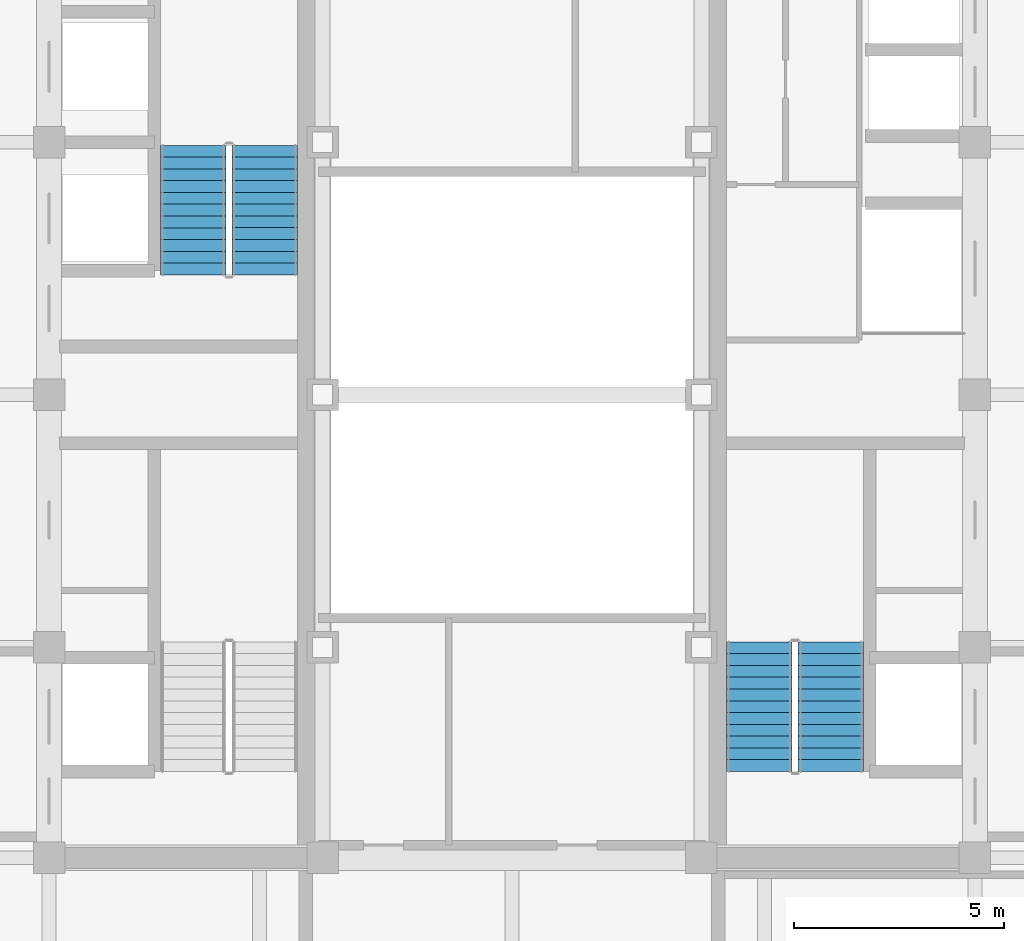
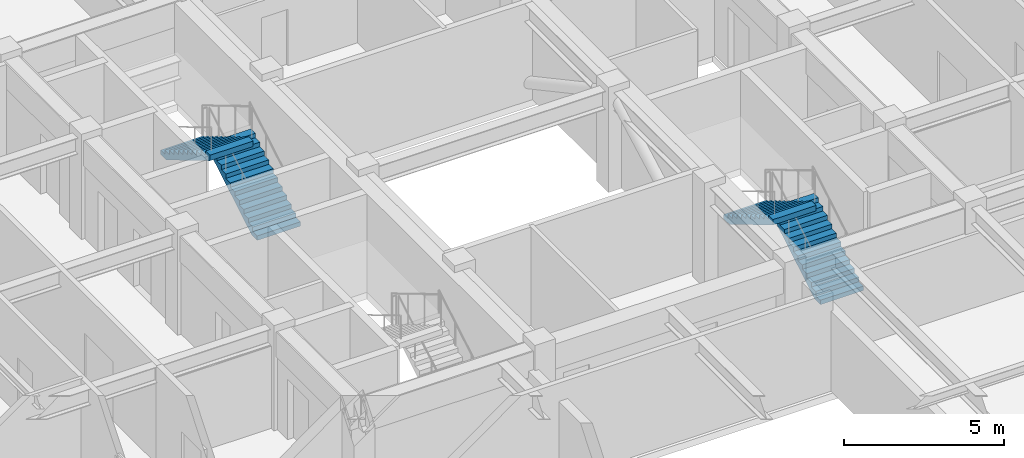
# One storey, part 28 of 29: 4 stair flights, 2 elements without a shape of their own.
"""IFC4 building model written with IfcOpenShell, lengths in metres."""

from ifc_helpers import new_model, si_unit, direction, frame, origin, place, context, subcontext, project, spatial, polyline, outline, extrude, source, transform, mapped, material, type_object, element, aggregate, save


model = new_model("IFC4")

# Units and contexts
model_context = context("Model", 3, precision=1e-05, world=origin(), true_north=direction((0.0, 1.0)))
body_context = subcontext(model_context, "Body", "Model", "MODEL_VIEW")
ifc_project = project(units=[si_unit("LENGTHUNIT", "METRE"), si_unit("AREAUNIT", "SQUARE_METRE"), si_unit("VOLUMEUNIT", "CUBIC_METRE"), si_unit("PLANEANGLEUNIT", "RADIAN"), si_unit("MASSUNIT", "GRAM", prefix="KILO")], contexts=[model_context])

# Site, building, storey
site_placement = place(None, origin())
site = spatial("IfcSite", under=ifc_project, at=site_placement, CompositionType="ELEMENT")
building_placement = place(site_placement, origin())
building = spatial("IfcBuilding", under=site, at=building_placement, Name="Khorayat Bourse Tower", CompositionType="ELEMENT")
storey_placement = place(building_placement, frame((0.0, 0.0, 354.300048828125)))
storey = spatial("IfcBuildingStorey", under=building, at=storey_placement, Name="L84", CompositionType="ELEMENT", Elevation=354.300048828125)

# Stair, stair flights
ifc_material = material(Name="Concrete C40/50", Category="concrete")
stair_type = type_object("IfcStairType", Name="STR-CORE-1550", PredefinedType="HALF_TURN_STAIR", material=ifc_material)
stair_1_placement = place(storey_placement, origin())
stair_1 = element("IfcStair", 1, at=stair_1_placement, inside=storey, type_object=stair_type, Name="L84 Exit Stair ST-2", PredefinedType="HALF_TURN_STAIR")
stair_flight_type = type_object("IfcStairFlightType", Name="FLT-CORE-1550", PredefinedType="STRAIGHT", material=ifc_material)
shared_shape = source(origin(), body_context, "Body", "SweptSolid", [
    extrude(outline(polyline([(0.0, 0.0), (0.0, 0.166748046875), (0.280029296875, 0.166748046875), (0.280029296875, 0.333251953125), (0.56005859375, 0.333251953125), (0.56005859375, 0.5), (0.840087890625, 0.5), (0.840087890625, 0.666748046875), (1.1201171875, 0.666748046875), (1.1201171875, 0.833251953125), (1.39990234375, 0.833251953125), (1.39990234375, 1.0), (1.679931640625, 1.0), (1.679931640625, 1.166748046875), (1.9599609375, 1.166748046875), (1.9599609375, 1.333251953125), (2.239990234375, 1.333251953125), (2.239990234375, 1.5), (2.52001953125, 1.5), (2.52001953125, 1.666748046875), (2.800048828125, 1.666748046875), (2.800048828125, 1.833251953125), (3.080078125, 1.833251953125), (3.080078125, 2.0), (3.080078125, 1.6240234375), (0.351806640625, 0.0), (0.0, 0.0)])), frame((0.0, 0.77490234375, 0.0), z_axis=(0.0, -1.0, 0.0), x_axis=(1.0, 0.0, 0.0)), (0.0, 0.0, 1.0), 1.550048828125),
])
stair_flight_1_placement = place(storey_placement, frame((-5.875, 2.85009765625, 0.0), z_axis=(0.0, 0.0, 1.0), x_axis=(0.0, 1.0, 0.0)))
stair_flight_1 = element("IfcStairFlight", 2, at=stair_flight_1_placement, type_object=stair_flight_type, Name="ST-2 flight 1", NumberOfRisers=12, NumberOfTreads=11, PredefinedType="STRAIGHT", RiserHeight=0.166666667, TreadLength=0.28, context=body_context, shape_type="MappedRepresentation", body=[
    mapped(shared_shape, transform((0.0, 0.0, 0.0), scale=1.0)),
])
stair_flight_2_placement = place(storey_placement, frame((-7.574951171875, 5.929931640625, 2.0), z_axis=(0.0, 0.0, 1.0), x_axis=(0.0, -1.0, 0.0)))
stair_flight_2 = element("IfcStairFlight", 3, at=stair_flight_2_placement, type_object=stair_flight_type, Name="ST-2 flight 2", NumberOfRisers=12, NumberOfTreads=11, PredefinedType="STRAIGHT", RiserHeight=0.166666667, TreadLength=0.28, context=body_context, shape_type="MappedRepresentation", body=[
    mapped(shared_shape, transform((0.0, 0.0, 0.0), scale=1.0)),
])
aggregate(stair_1, [stair_flight_1, stair_flight_2])

stair_2_placement = place(storey_placement, origin())
stair_2 = element("IfcStair", 4, at=stair_2_placement, inside=storey, type_object=stair_type, Name="L84 Exit Stair ST-3", PredefinedType="HALF_TURN_STAIR")
stair_flight_3_placement = place(storey_placement, frame((7.574951171875, -8.949951171875, 0.0), z_axis=(0.0, 0.0, 1.0), x_axis=(0.0, 1.0, 0.0)))
stair_flight_3 = element("IfcStairFlight", 5, at=stair_flight_3_placement, type_object=stair_flight_type, Name="ST-3 flight 1", NumberOfRisers=12, NumberOfTreads=11, PredefinedType="STRAIGHT", RiserHeight=0.166666667, TreadLength=0.28, context=body_context, shape_type="MappedRepresentation", body=[
    mapped(shared_shape, transform((0.0, 0.0, 0.0), scale=1.0)),
])
stair_flight_4_placement = place(storey_placement, frame((5.875, -5.8701171875, 2.0), z_axis=(0.0, 0.0, 1.0), x_axis=(0.0, -1.0, 0.0)))
stair_flight_4 = element("IfcStairFlight", 6, at=stair_flight_4_placement, type_object=stair_flight_type, Name="ST-3 flight 2", NumberOfRisers=12, NumberOfTreads=11, PredefinedType="STRAIGHT", RiserHeight=0.166666667, TreadLength=0.28, context=body_context, shape_type="MappedRepresentation", body=[
    mapped(shared_shape, transform((0.0, 0.0, 0.0), scale=1.0)),
])
aggregate(stair_2, [stair_flight_3, stair_flight_4])

save(model, "model.ifc")
